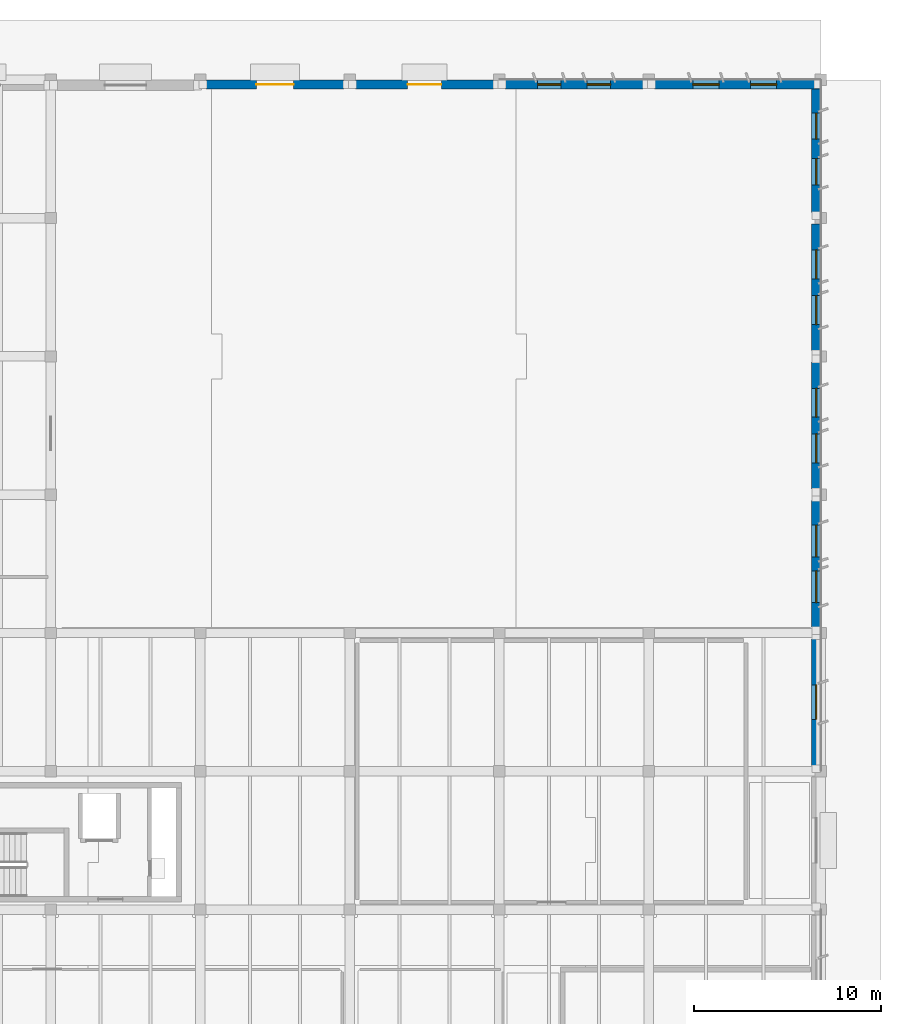
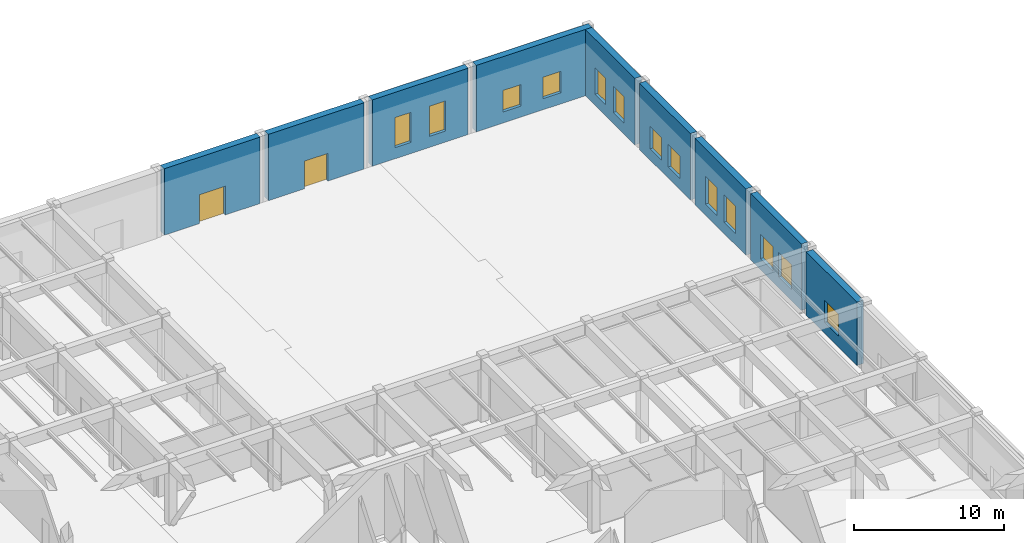
# One storey, part 30 of 56: 13 windows, 9 walls, 2 doors, 15 openings.
"""IFC4 building model written with IfcOpenShell, lengths in metres."""

from ifc_helpers import new_model, si_unit, direction, frame, frame_2d, origin, place, context, subcontext, project, spatial, rectangle, extrude, material, layer, layer_set, type_object, element, fill, save


model = new_model("IFC4")

# Units and contexts
model_context = context("Model", 3, precision=1e-05, world=origin(), true_north=direction((0.0, 1.0)))
body_context = subcontext(model_context, "Body", "Model", "MODEL_VIEW")
ifc_project = project(units=[si_unit("LENGTHUNIT", "METRE"), si_unit("AREAUNIT", "SQUARE_METRE"), si_unit("VOLUMEUNIT", "CUBIC_METRE"), si_unit("PLANEANGLEUNIT", "RADIAN"), si_unit("MASSUNIT", "GRAM", prefix="KILO")], contexts=[model_context])

# Site, building, storey
site_placement = place(None, origin())
site = spatial("IfcSite", under=ifc_project, at=site_placement, CompositionType="ELEMENT")
building_placement = place(site_placement, origin())
building = spatial("IfcBuilding", under=site, at=building_placement, Name="Valkorina Park Police Headquarters", CompositionType="ELEMENT")
storey_placement = place(building_placement, origin())
storey = spatial("IfcBuildingStorey", under=building, at=storey_placement, Name="L01", CompositionType="ELEMENT", Elevation=0.0)

# Wall, opening, door
ifc_material_1 = material(Name="Precast concrete C40/50", Category="concrete")
ifc_layer_1 = layer(ifc_material_1, 0.5)
ifc_layer_set_1 = layer_set([ifc_layer_1], Name="Precast concrete C40/50")
wall_type = type_object("IfcWallType", Name="WL-EXT-SPANDREL-500", PredefinedType="STANDARD", material=ifc_layer_set_1)
wall_1_placement = place(storey_placement, frame((129.110107421875, 110.75, 0.0), z_axis=(0.0, 0.0, 1.0), x_axis=(1.0, 0.0, 0.0)))
wall_1 = element("IfcWall", 1, at=wall_1_placement, inside=storey, type_object=wall_type, Name="L01 Architectural Concrete Exterior Wall 0048", PredefinedType="STANDARD", context=body_context, shape_type="SweptSolid", body=[
    extrude(rectangle(XDim=7.3798828125, YDim=0.5, at=frame_2d((3.68994140625, 0.0))), origin(), (0.0, 0.0, 1.0), 5.39990234375),
])
opening_1_placement = place(wall_1_placement, frame((2.68994140625, 0.0, 0.0)))
opening_1 = element("IfcOpeningElement", 2, at=opening_1_placement, cuts=wall_1, Name="Opening ED-02", PredefinedType="OPENING", context=body_context, shape_type="SweptSolid", body=[
    extrude(rectangle(XDim=2.0, YDim=2.35009765625, at=frame_2d((1.0, 1.175048828125))), frame((0.0, 0.260009765625, 0.0), z_axis=(0.0, -1.0, 0.0), x_axis=(1.0, 0.0, 0.0)), (0.0, 0.0, 1.0), 0.52001953125),
])
ifc_material_2 = material(Name="Thermally broken aluminium AW-6060", Category="aluminium")
ifc_layer_2 = layer(ifc_material_2, 0.050048828125)
ifc_layer_set_2 = layer_set([ifc_layer_2], Name="Thermally broken aluminium AW-6060")
door_type_1 = type_object("IfcDoorType", Name="DR-EXT-EXIT-2000x2350", OperationType="NOTDEFINED", PredefinedType="DOOR", material=ifc_layer_set_2)
door_1_placement = place(opening_1_placement, origin())
door_1 = element("IfcDoor", 3, at=door_1_placement, inside=storey, type_object=door_type_1, Name="Door D-L01-009 (Final Pedestrian Exit)", OperationType="DOUBLE_DOOR_SINGLE_SWING", OverallHeight=2.35009765625, OverallWidth=2.0, PredefinedType="DOOR", context=body_context, shape_type="SweptSolid", body=[
    extrude(rectangle(XDim=2.0, YDim=2.35009765625, at=frame_2d((1.0, 1.175048828125))), frame((0.0, 0.02490234375, 0.0), z_axis=(0.0, -1.0, 0.0), x_axis=(1.0, 0.0, 0.0)), (0.0, 0.0, 1.0), 0.050048828125),
])
fill(opening_1, door_1)

wall_2_placement = place(storey_placement, frame((137.110107421875, 110.75, 0.0), z_axis=(0.0, 0.0, 1.0), x_axis=(1.0, 0.0, 0.0)))
wall_2 = element("IfcWall", 4, at=wall_2_placement, inside=storey, type_object=wall_type, Name="L01 Architectural Concrete Exterior Wall 0049", PredefinedType="STANDARD", context=body_context, shape_type="SweptSolid", body=[
    extrude(rectangle(XDim=7.3798828125, YDim=0.5, at=frame_2d((3.68994140625, 0.0))), origin(), (0.0, 0.0, 1.0), 5.39990234375),
])
opening_2_placement = place(wall_2_placement, frame((2.7900390625, 0.0, 0.0)))
opening_2 = element("IfcOpeningElement", 5, at=opening_2_placement, cuts=wall_2, Name="Opening ED-01", PredefinedType="OPENING", context=body_context, shape_type="SweptSolid", body=[
    extrude(rectangle(XDim=1.800048828125, YDim=2.25, at=frame_2d((0.89990234375, 1.125))), frame((0.0, 0.260009765625, 0.0), z_axis=(0.0, -1.0, 0.0), x_axis=(1.0, 0.0, 0.0)), (0.0, 0.0, 1.0), 0.52001953125),
])
ifc_layer_3 = layer(ifc_material_2, 0.050048828125)
ifc_layer_set_3 = layer_set([ifc_layer_3], Name="Thermally broken aluminium AW-6060")
door_type_2 = type_object("IfcDoorType", Name="DR-EXT-EXIT-1800x2250", OperationType="NOTDEFINED", PredefinedType="DOOR", material=ifc_layer_set_3)
door_2_placement = place(opening_2_placement, origin())
door_2 = element("IfcDoor", 6, at=door_2_placement, inside=storey, type_object=door_type_2, Name="Door D-L01-010 (Final Pedestrian Exit)", OperationType="DOUBLE_DOOR_SINGLE_SWING", OverallHeight=2.25, OverallWidth=1.800048828125, PredefinedType="DOOR", context=body_context, shape_type="SweptSolid", body=[
    extrude(rectangle(XDim=1.800048828125, YDim=2.25, at=frame_2d((0.89990234375, 1.125))), frame((0.0, 0.02490234375, 0.0), z_axis=(0.0, -1.0, 0.0), x_axis=(1.0, 0.0, 0.0)), (0.0, 0.0, 1.0), 0.050048828125),
])
fill(opening_2, door_2)

# Wall, openings, windows
wall_3_placement = place(storey_placement, frame((145.110107421875, 110.75, 0.0), z_axis=(0.0, 0.0, 1.0), x_axis=(1.0, 0.0, 0.0)))
wall_3 = element("IfcWall", 7, at=wall_3_placement, inside=storey, type_object=wall_type, Name="L01 Architectural Concrete Exterior Wall 0050", PredefinedType="STANDARD", context=body_context, shape_type="SweptSolid", body=[
    extrude(rectangle(XDim=7.3798828125, YDim=0.5, at=frame_2d((3.68994140625, 0.0))), origin(), (0.0, 0.0, 1.0), 5.39990234375),
])
opening_3_placement = place(wall_3_placement, frame((1.736572265625, 0.0, 0.89990234375)))
opening_3 = element("IfcOpeningElement", 8, at=opening_3_placement, cuts=wall_3, Name="Opening WN-23", PredefinedType="OPENING", context=body_context, shape_type="SweptSolid", body=[
    extrude(rectangle(XDim=1.25, YDim=2.449951171875, at=frame_2d((0.625, 1.22509765625))), frame((0.0, 0.260009765625, 0.0), z_axis=(0.0, -1.0, 0.0), x_axis=(1.0, 0.0, 0.0)), (0.0, 0.0, 1.0), 0.52001953125),
])
opening_4_placement = place(wall_3_placement, frame((4.393310546875, 0.0, 0.89990234375)))
opening_4 = element("IfcOpeningElement", 9, at=opening_4_placement, cuts=wall_3, Name="Opening WN-23", PredefinedType="OPENING", context=body_context, shape_type="SweptSolid", body=[
    extrude(rectangle(XDim=1.25, YDim=2.449951171875, at=frame_2d((0.625, 1.22509765625))), frame((0.0, 0.260009765625, 0.0), z_axis=(0.0, -1.0, 0.0), x_axis=(1.0, 0.0, 0.0)), (0.0, 0.0, 1.0), 0.52001953125),
])
ifc_material_3 = material(Name="Triple low-E insulated glazing", Category="glass")
ifc_layer_4 = layer(ifc_material_3, 0.06005859375)
ifc_layer_set_4 = layer_set([ifc_layer_4], Name="Triple low-E insulated glazing")
window_type_1 = type_object("IfcWindowType", Name="WN-LAB-1250x2450", PartitioningType="SINGLE_PANEL", PredefinedType="WINDOW", material=ifc_layer_set_4)
window_1_placement = place(opening_3_placement, origin())
window_1 = element("IfcWindow", 10, at=window_1_placement, inside=storey, type_object=window_type_1, Name="Window L01-0079", OverallHeight=2.449951171875, OverallWidth=1.25, PartitioningType="SINGLE_PANEL", PredefinedType="WINDOW", context=body_context, shape_type="SweptSolid", body=[
    extrude(rectangle(XDim=1.25, YDim=2.449951171875, at=frame_2d((0.625, 1.22509765625))), frame((0.0, 0.030029296875, 0.0), z_axis=(0.0, -1.0, 0.0), x_axis=(1.0, 0.0, 0.0)), (0.0, 0.0, 1.0), 0.06005859375),
])
fill(opening_3, window_1)
window_2_placement = place(opening_4_placement, origin())
window_2 = element("IfcWindow", 11, at=window_2_placement, inside=storey, type_object=window_type_1, Name="Window L01-0080", OverallHeight=2.449951171875, OverallWidth=1.25, PartitioningType="SINGLE_PANEL", PredefinedType="WINDOW", context=body_context, shape_type="SweptSolid", body=[
    extrude(rectangle(XDim=1.25, YDim=2.449951171875, at=frame_2d((0.625, 1.22509765625))), frame((0.0, 0.030029296875, 0.0), z_axis=(0.0, -1.0, 0.0), x_axis=(1.0, 0.0, 0.0)), (0.0, 0.0, 1.0), 0.06005859375),
])
fill(opening_4, window_2)

wall_4_placement = place(storey_placement, frame((153.110107421875, 110.75, 0.0), z_axis=(0.0, 0.0, 1.0), x_axis=(1.0, 0.0, 0.0)))
wall_4 = element("IfcWall", 12, at=wall_4_placement, inside=storey, type_object=wall_type, Name="L01 Architectural Concrete Exterior Wall 0051", PredefinedType="STANDARD", context=body_context, shape_type="SweptSolid", body=[
    extrude(rectangle(XDim=8.889892578125, YDim=0.5, at=frame_2d((4.44482421875, 0.0))), origin(), (0.0, 0.0, 1.0), 5.39990234375),
])
opening_5_placement = place(wall_4_placement, frame((2.045654296875, 0.0, 0.89990234375)))
opening_5 = element("IfcOpeningElement", 13, at=opening_5_placement, cuts=wall_4, Name="Opening WN-24", PredefinedType="OPENING", context=body_context, shape_type="SweptSolid", body=[
    extrude(rectangle(XDim=1.39990234375, YDim=1.75, at=frame_2d((0.699951171875, 0.875))), frame((0.0, 0.260009765625, 0.0), z_axis=(0.0, -1.0, 0.0), x_axis=(1.0, 0.0, 0.0)), (0.0, 0.0, 1.0), 0.52001953125),
])
opening_6_placement = place(wall_4_placement, frame((5.134521484375, 0.0, 0.89990234375)))
opening_6 = element("IfcOpeningElement", 14, at=opening_6_placement, cuts=wall_4, Name="Opening WN-24", PredefinedType="OPENING", context=body_context, shape_type="SweptSolid", body=[
    extrude(rectangle(XDim=1.39990234375, YDim=1.75, at=frame_2d((0.699951171875, 0.875))), frame((0.0, 0.260009765625, 0.0), z_axis=(0.0, -1.0, 0.0), x_axis=(1.0, 0.0, 0.0)), (0.0, 0.0, 1.0), 0.52001953125),
])
ifc_layer_5 = layer(ifc_material_3, 0.06005859375)
ifc_layer_set_5 = layer_set([ifc_layer_5], Name="Triple low-E insulated glazing")
window_type_2 = type_object("IfcWindowType", Name="WN-LAB-1400x1750", PartitioningType="SINGLE_PANEL", PredefinedType="WINDOW", material=ifc_layer_set_5)
window_3_placement = place(opening_5_placement, origin())
window_3 = element("IfcWindow", 15, at=window_3_placement, inside=storey, type_object=window_type_2, Name="Window L01-0081", OverallHeight=1.75, OverallWidth=1.39990234375, PartitioningType="SINGLE_PANEL", PredefinedType="WINDOW", context=body_context, shape_type="SweptSolid", body=[
    extrude(rectangle(XDim=1.39990234375, YDim=1.75, at=frame_2d((0.699951171875, 0.875))), frame((0.0, 0.030029296875, 0.0), z_axis=(0.0, -1.0, 0.0), x_axis=(1.0, 0.0, 0.0)), (0.0, 0.0, 1.0), 0.06005859375),
])
fill(opening_5, window_3)
window_4_placement = place(opening_6_placement, origin())
window_4 = element("IfcWindow", 16, at=window_4_placement, inside=storey, type_object=window_type_2, Name="Window L01-0082", OverallHeight=1.75, OverallWidth=1.39990234375, PartitioningType="SINGLE_PANEL", PredefinedType="WINDOW", context=body_context, shape_type="SweptSolid", body=[
    extrude(rectangle(XDim=1.39990234375, YDim=1.75, at=frame_2d((0.699951171875, 0.875))), frame((0.0, 0.030029296875, 0.0), z_axis=(0.0, -1.0, 0.0), x_axis=(1.0, 0.0, 0.0)), (0.0, 0.0, 1.0), 0.06005859375),
])
fill(opening_6, window_4)

wall_5_placement = place(storey_placement, frame((161.75, 110.5, 0.0), z_axis=(0.0, 0.0, 1.0), x_axis=(0.0, -1.0, 0.0)))
wall_5 = element("IfcWall", 17, at=wall_5_placement, inside=storey, type_object=wall_type, Name="L01 Architectural Concrete Exterior Wall 0052", PredefinedType="STANDARD", context=body_context, shape_type="SweptSolid", body=[
    extrude(rectangle(XDim=6.590087890625, YDim=0.5, at=frame_2d((3.294921875, 0.0))), origin(), (0.0, 0.0, 1.0), 5.39990234375),
])
opening_7_placement = place(wall_5_placement, frame((1.279541015625, 0.0, 0.89990234375)))
opening_7 = element("IfcOpeningElement", 18, at=opening_7_placement, cuts=wall_5, Name="Opening WN-25", PredefinedType="OPENING", context=body_context, shape_type="SweptSolid", body=[
    extrude(rectangle(XDim=1.39990234375, YDim=2.14990234375, at=frame_2d((0.699951171875, 1.074951171875))), frame((0.0, 0.260009765625, 0.0), z_axis=(0.0, -1.0, 0.0), x_axis=(1.0, 0.0, 0.0)), (0.0, 0.0, 1.0), 0.52001953125),
])
opening_8_placement = place(wall_5_placement, frame((3.720458984375, 0.0, 0.89990234375)))
opening_8 = element("IfcOpeningElement", 19, at=opening_8_placement, cuts=wall_5, Name="Opening WN-25", PredefinedType="OPENING", context=body_context, shape_type="SweptSolid", body=[
    extrude(rectangle(XDim=1.39990234375, YDim=2.14990234375, at=frame_2d((0.699951171875, 1.074951171875))), frame((0.0, 0.260009765625, 0.0), z_axis=(0.0, -1.0, 0.0), x_axis=(1.0, 0.0, 0.0)), (0.0, 0.0, 1.0), 0.52001953125),
])
ifc_layer_6 = layer(ifc_material_3, 0.06005859375)
ifc_layer_set_6 = layer_set([ifc_layer_6], Name="Triple low-E insulated glazing")
window_type_3 = type_object("IfcWindowType", Name="WN-LAB-1400x2150", PartitioningType="SINGLE_PANEL", PredefinedType="WINDOW", material=ifc_layer_set_6)
window_5_placement = place(opening_7_placement, origin())
window_5 = element("IfcWindow", 20, at=window_5_placement, inside=storey, type_object=window_type_3, Name="Window L01-0083", OverallHeight=2.14990234375, OverallWidth=1.39990234375, PartitioningType="SINGLE_PANEL", PredefinedType="WINDOW", context=body_context, shape_type="SweptSolid", body=[
    extrude(rectangle(XDim=1.39990234375, YDim=2.14990234375, at=frame_2d((0.699951171875, 1.074951171875))), frame((0.0, 0.030029296875, 0.0), z_axis=(0.0, -1.0, 0.0), x_axis=(1.0, 0.0, 0.0)), (0.0, 0.0, 1.0), 0.06005859375),
])
fill(opening_7, window_5)
window_6_placement = place(opening_8_placement, origin())
window_6 = element("IfcWindow", 21, at=window_6_placement, inside=storey, type_object=window_type_3, Name="Window L01-0084", OverallHeight=2.14990234375, OverallWidth=1.39990234375, PartitioningType="SINGLE_PANEL", PredefinedType="WINDOW", context=body_context, shape_type="SweptSolid", body=[
    extrude(rectangle(XDim=1.39990234375, YDim=2.14990234375, at=frame_2d((0.699951171875, 1.074951171875))), frame((0.0, 0.030029296875, 0.0), z_axis=(0.0, -1.0, 0.0), x_axis=(1.0, 0.0, 0.0)), (0.0, 0.0, 1.0), 0.06005859375),
])
fill(opening_8, window_6)

wall_6_placement = place(storey_placement, frame((161.75, 103.2900390625, 0.0), z_axis=(0.0, 0.0, 1.0), x_axis=(0.0, -1.0, 0.0)))
wall_6 = element("IfcWall", 22, at=wall_6_placement, inside=storey, type_object=wall_type, Name="L01 Architectural Concrete Exterior Wall 0053", PredefinedType="STANDARD", context=body_context, shape_type="SweptSolid", body=[
    extrude(rectangle(XDim=6.780029296875, YDim=0.5, at=frame_2d((3.39013671875, 0.0))), origin(), (0.0, 0.0, 1.0), 5.39990234375),
])
opening_9_placement = place(wall_6_placement, frame((1.39453125, 0.0, 0.89990234375)))
opening_9 = element("IfcOpeningElement", 23, at=opening_9_placement, cuts=wall_6, Name="Opening WN-26", PredefinedType="OPENING", context=body_context, shape_type="SweptSolid", body=[
    extrude(rectangle(XDim=1.550048828125, YDim=1.85009765625, at=frame_2d((0.77490234375, 0.925048828125))), frame((0.0, 0.260009765625, 0.0), z_axis=(0.0, -1.0, 0.0), x_axis=(1.0, 0.0, 0.0)), (0.0, 0.0, 1.0), 0.52001953125),
])
opening_10_placement = place(wall_6_placement, frame((3.83544921875, 0.0, 0.89990234375)))
opening_10 = element("IfcOpeningElement", 24, at=opening_10_placement, cuts=wall_6, Name="Opening WN-26", PredefinedType="OPENING", context=body_context, shape_type="SweptSolid", body=[
    extrude(rectangle(XDim=1.550048828125, YDim=1.85009765625, at=frame_2d((0.77490234375, 0.925048828125))), frame((0.0, 0.260009765625, 0.0), z_axis=(0.0, -1.0, 0.0), x_axis=(1.0, 0.0, 0.0)), (0.0, 0.0, 1.0), 0.52001953125),
])
ifc_layer_7 = layer(ifc_material_3, 0.06005859375)
ifc_layer_set_7 = layer_set([ifc_layer_7], Name="Triple low-E insulated glazing")
window_type_4 = type_object("IfcWindowType", Name="WN-COURT-1550x1850", PartitioningType="SINGLE_PANEL", PredefinedType="WINDOW", material=ifc_layer_set_7)
window_7_placement = place(opening_9_placement, origin())
window_7 = element("IfcWindow", 25, at=window_7_placement, inside=storey, type_object=window_type_4, Name="Window L01-0085", OverallHeight=1.85009765625, OverallWidth=1.550048828125, PartitioningType="SINGLE_PANEL", PredefinedType="WINDOW", context=body_context, shape_type="SweptSolid", body=[
    extrude(rectangle(XDim=1.550048828125, YDim=1.85009765625, at=frame_2d((0.77490234375, 0.925048828125))), frame((0.0, 0.030029296875, 0.0), z_axis=(0.0, -1.0, 0.0), x_axis=(1.0, 0.0, 0.0)), (0.0, 0.0, 1.0), 0.06005859375),
])
fill(opening_9, window_7)
window_8_placement = place(opening_10_placement, origin())
window_8 = element("IfcWindow", 26, at=window_8_placement, inside=storey, type_object=window_type_4, Name="Window L01-0086", OverallHeight=1.85009765625, OverallWidth=1.550048828125, PartitioningType="SINGLE_PANEL", PredefinedType="WINDOW", context=body_context, shape_type="SweptSolid", body=[
    extrude(rectangle(XDim=1.550048828125, YDim=1.85009765625, at=frame_2d((0.77490234375, 0.925048828125))), frame((0.0, 0.030029296875, 0.0), z_axis=(0.0, -1.0, 0.0), x_axis=(1.0, 0.0, 0.0)), (0.0, 0.0, 1.0), 0.06005859375),
])
fill(opening_10, window_8)

wall_7_placement = place(storey_placement, frame((161.75, 95.889892578125, 0.0), z_axis=(0.0, 0.0, 1.0), x_axis=(0.0, -1.0, 0.0)))
wall_7 = element("IfcWall", 27, at=wall_7_placement, inside=storey, type_object=wall_type, Name="L01 Architectural Concrete Exterior Wall 0054", PredefinedType="STANDARD", context=body_context, shape_type="SweptSolid", body=[
    extrude(rectangle(XDim=6.77978515625, YDim=0.5, at=frame_2d((3.389892578125, 0.0))), origin(), (0.0, 0.0, 1.0), 5.39990234375),
])
opening_11_placement = place(wall_7_placement, frame((1.39453125, 0.0, 0.89990234375)))
opening_11 = element("IfcOpeningElement", 28, at=opening_11_placement, cuts=wall_7, Name="Opening WN-27", PredefinedType="OPENING", context=body_context, shape_type="SweptSolid", body=[
    extrude(rectangle(XDim=1.550048828125, YDim=2.25, at=frame_2d((0.77490234375, 1.125))), frame((0.0, 0.260009765625, 0.0), z_axis=(0.0, -1.0, 0.0), x_axis=(1.0, 0.0, 0.0)), (0.0, 0.0, 1.0), 0.52001953125),
])
opening_12_placement = place(wall_7_placement, frame((3.83544921875, 0.0, 0.89990234375)))
opening_12 = element("IfcOpeningElement", 29, at=opening_12_placement, cuts=wall_7, Name="Opening WN-27", PredefinedType="OPENING", context=body_context, shape_type="SweptSolid", body=[
    extrude(rectangle(XDim=1.550048828125, YDim=2.25, at=frame_2d((0.77490234375, 1.125))), frame((0.0, 0.260009765625, 0.0), z_axis=(0.0, -1.0, 0.0), x_axis=(1.0, 0.0, 0.0)), (0.0, 0.0, 1.0), 0.52001953125),
])
ifc_layer_8 = layer(ifc_material_3, 0.06005859375)
ifc_layer_set_8 = layer_set([ifc_layer_8], Name="Triple low-E insulated glazing")
window_type_5 = type_object("IfcWindowType", Name="WN-COURT-1550x2250", PartitioningType="SINGLE_PANEL", PredefinedType="WINDOW", material=ifc_layer_set_8)
window_9_placement = place(opening_11_placement, origin())
window_9 = element("IfcWindow", 30, at=window_9_placement, inside=storey, type_object=window_type_5, Name="Window L01-0087", OverallHeight=2.25, OverallWidth=1.550048828125, PartitioningType="SINGLE_PANEL", PredefinedType="WINDOW", context=body_context, shape_type="SweptSolid", body=[
    extrude(rectangle(XDim=1.550048828125, YDim=2.25, at=frame_2d((0.77490234375, 1.125))), frame((0.0, 0.030029296875, 0.0), z_axis=(0.0, -1.0, 0.0), x_axis=(1.0, 0.0, 0.0)), (0.0, 0.0, 1.0), 0.06005859375),
])
fill(opening_11, window_9)
window_10_placement = place(opening_12_placement, origin())
window_10 = element("IfcWindow", 31, at=window_10_placement, inside=storey, type_object=window_type_5, Name="Window L01-0088", OverallHeight=2.25, OverallWidth=1.550048828125, PartitioningType="SINGLE_PANEL", PredefinedType="WINDOW", context=body_context, shape_type="SweptSolid", body=[
    extrude(rectangle(XDim=1.550048828125, YDim=2.25, at=frame_2d((0.77490234375, 1.125))), frame((0.0, 0.030029296875, 0.0), z_axis=(0.0, -1.0, 0.0), x_axis=(1.0, 0.0, 0.0)), (0.0, 0.0, 1.0), 0.06005859375),
])
fill(opening_12, window_10)

wall_8_placement = place(storey_placement, frame((161.75, 88.489990234375, 0.0), z_axis=(0.0, 0.0, 1.0), x_axis=(0.0, -1.0, 0.0)))
wall_8 = element("IfcWall", 32, at=wall_8_placement, inside=storey, type_object=wall_type, Name="L01 Architectural Concrete Exterior Wall 0055", PredefinedType="STANDARD", context=body_context, shape_type="SweptSolid", body=[
    extrude(rectangle(XDim=6.780029296875, YDim=0.5, at=frame_2d((3.39013671875, 0.0))), origin(), (0.0, 0.0, 1.0), 5.39990234375),
])
opening_13_placement = place(wall_8_placement, frame((1.319580078125, 0.0, 0.89990234375)))
opening_13 = element("IfcOpeningElement", 33, at=opening_13_placement, cuts=wall_8, Name="Opening WN-28", PredefinedType="OPENING", context=body_context, shape_type="SweptSolid", body=[
    extrude(rectangle(XDim=1.699951171875, YDim=2.0, at=frame_2d((0.85009765625, 1.0))), frame((0.0, 0.260009765625, 0.0), z_axis=(0.0, -1.0, 0.0), x_axis=(1.0, 0.0, 0.0)), (0.0, 0.0, 1.0), 0.52001953125),
])
opening_14_placement = place(wall_8_placement, frame((3.760498046875, 0.0, 0.89990234375)))
opening_14 = element("IfcOpeningElement", 34, at=opening_14_placement, cuts=wall_8, Name="Opening WN-28", PredefinedType="OPENING", context=body_context, shape_type="SweptSolid", body=[
    extrude(rectangle(XDim=1.699951171875, YDim=2.0, at=frame_2d((0.85009765625, 1.0))), frame((0.0, 0.260009765625, 0.0), z_axis=(0.0, -1.0, 0.0), x_axis=(1.0, 0.0, 0.0)), (0.0, 0.0, 1.0), 0.52001953125),
])
ifc_layer_9 = layer(ifc_material_3, 0.06005859375)
ifc_layer_set_9 = layer_set([ifc_layer_9], Name="Triple low-E insulated glazing")
window_type_6 = type_object("IfcWindowType", Name="WN-COURT-1700x2000", PartitioningType="SINGLE_PANEL", PredefinedType="WINDOW", material=ifc_layer_set_9)
window_11_placement = place(opening_13_placement, origin())
window_11 = element("IfcWindow", 35, at=window_11_placement, inside=storey, type_object=window_type_6, Name="Window L01-0089", OverallHeight=2.0, OverallWidth=1.699951171875, PartitioningType="SINGLE_PANEL", PredefinedType="WINDOW", context=body_context, shape_type="SweptSolid", body=[
    extrude(rectangle(XDim=1.699951171875, YDim=2.0, at=frame_2d((0.85009765625, 1.0))), frame((0.0, 0.030029296875, 0.0), z_axis=(0.0, -1.0, 0.0), x_axis=(1.0, 0.0, 0.0)), (0.0, 0.0, 1.0), 0.06005859375),
])
fill(opening_13, window_11)
window_12_placement = place(opening_14_placement, origin())
window_12 = element("IfcWindow", 36, at=window_12_placement, inside=storey, type_object=window_type_6, Name="Window L01-0090", OverallHeight=2.0, OverallWidth=1.699951171875, PartitioningType="SINGLE_PANEL", PredefinedType="WINDOW", context=body_context, shape_type="SweptSolid", body=[
    extrude(rectangle(XDim=1.699951171875, YDim=2.0, at=frame_2d((0.85009765625, 1.0))), frame((0.0, 0.030029296875, 0.0), z_axis=(0.0, -1.0, 0.0), x_axis=(1.0, 0.0, 0.0)), (0.0, 0.0, 1.0), 0.06005859375),
])
fill(opening_14, window_12)

# Wall, opening, window
wall_9_placement = place(storey_placement, frame((161.75, 81.090087890625, 0.0), z_axis=(0.0, 0.0, 1.0), x_axis=(0.0, -1.0, 0.0)))
wall_9 = element("IfcWall", 37, at=wall_9_placement, inside=storey, type_object=wall_type, Name="L01 Architectural Concrete Exterior Wall 0056", PredefinedType="STANDARD", context=body_context, shape_type="SweptSolid", body=[
    extrude(rectangle(XDim=6.780029296875, YDim=0.5, at=frame_2d((3.39013671875, 0.0))), origin(), (0.0, 0.0, 1.0), 5.155029296875),
])
opening_15_placement = place(wall_9_placement, frame((2.465087890625, 0.0, 0.89990234375)))
opening_15 = element("IfcOpeningElement", 38, at=opening_15_placement, cuts=wall_9, Name="Opening WN-29", PredefinedType="OPENING", context=body_context, shape_type="SweptSolid", body=[
    extrude(rectangle(XDim=1.85009765625, YDim=1.800048828125, at=frame_2d((0.925048828125, 0.89990234375))), frame((0.0, 0.260009765625, 0.0), z_axis=(0.0, -1.0, 0.0), x_axis=(1.0, 0.0, 0.0)), (0.0, 0.0, 1.0), 0.52001953125),
])
ifc_layer_10 = layer(ifc_material_3, 0.06005859375)
ifc_layer_set_10 = layer_set([ifc_layer_10], Name="Triple low-E insulated glazing")
window_type_7 = type_object("IfcWindowType", Name="WN-OFF-1850x1800", PartitioningType="SINGLE_PANEL", PredefinedType="WINDOW", material=ifc_layer_set_10)
window_13_placement = place(opening_15_placement, origin())
window_13 = element("IfcWindow", 39, at=window_13_placement, inside=storey, type_object=window_type_7, Name="Window L01-0091", OverallHeight=1.800048828125, OverallWidth=1.85009765625, PartitioningType="SINGLE_PANEL", PredefinedType="WINDOW", context=body_context, shape_type="SweptSolid", body=[
    extrude(rectangle(XDim=1.85009765625, YDim=1.800048828125, at=frame_2d((0.925048828125, 0.89990234375))), frame((0.0, 0.030029296875, 0.0), z_axis=(0.0, -1.0, 0.0), x_axis=(1.0, 0.0, 0.0)), (0.0, 0.0, 1.0), 0.06005859375),
])
fill(opening_15, window_13)

save(model, "model.ifc")
